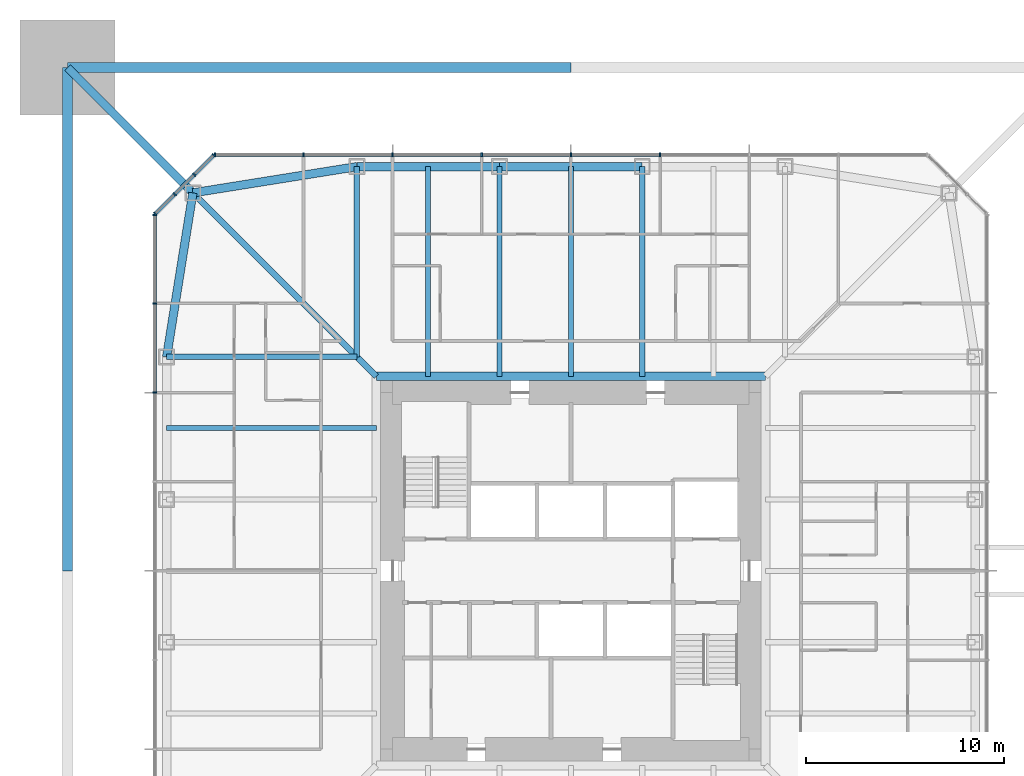
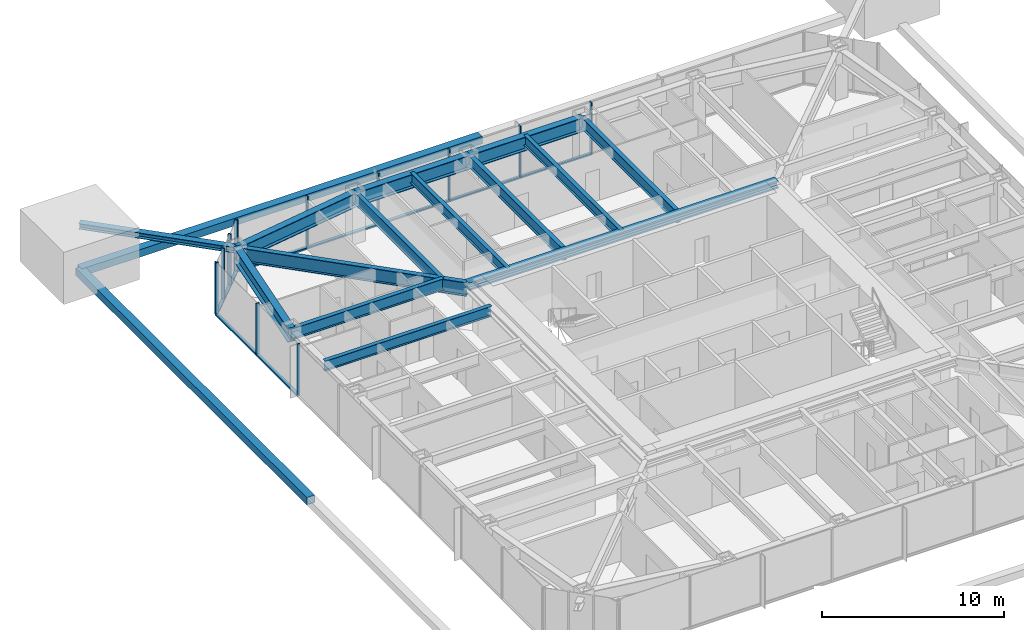
# One storey, part 6 of 26: 26 members, 13 beams, 3 elements without a shape of their own.
"""IFC4 building model written with IfcOpenShell, lengths in metres."""

from ifc_helpers import new_model, si_unit, direction, frame, origin, origin_2d, place, context, subcontext, project, spatial, rectangle, hollow_rectangle, i_section, extrude, material, material_profile, profile_set, type_object, element, aggregate, save


model = new_model("IFC4")

# Units and contexts
model_context = context("Model", 3, precision=1e-05, world=origin(), true_north=direction((0.0, 1.0)))
body_context = subcontext(model_context, "Body", "Model", "MODEL_VIEW")
ifc_project = project(units=[si_unit("LENGTHUNIT", "METRE"), si_unit("AREAUNIT", "SQUARE_METRE"), si_unit("VOLUMEUNIT", "CUBIC_METRE"), si_unit("PLANEANGLEUNIT", "RADIAN"), si_unit("MASSUNIT", "GRAM", prefix="KILO")], contexts=[model_context])

# Site, building, storey
site_placement = place(None, origin())
site = spatial("IfcSite", under=ifc_project, at=site_placement, CompositionType="ELEMENT")
building_placement = place(site_placement, origin())
building = spatial("IfcBuilding", under=site, at=building_placement, Name="Iwan Alto Co-Living Towers", CompositionType="ELEMENT")
storey_placement = place(building_placement, frame((0.0, 0.0, 126.0)))
storey = spatial("IfcBuildingStorey", under=building, at=storey_placement, Name="L34", CompositionType="ELEMENT", Elevation=126.0)

# Curtain wall, members
ifc_material_1 = material(Name="Bronze aluminium unitised frame", Category="aluminium")
curtain_wall_type_1 = type_object("IfcCurtainWallType", Name="CURTAIN WALL CW-A", PredefinedType="NOTDEFINED", material=ifc_material_1)
curtain_wall_1_placement = place(storey_placement, origin())
curtain_wall_1 = element("IfcCurtainWall", 1, at=curtain_wall_1_placement, inside=storey, type_object=curtain_wall_type_1, Name="T1 curtain wall N L34", PredefinedType="NOTDEFINED")
ifc_material_2 = material(Name="Aluminium 6063-T6 bronze anodised", Category="aluminium")
ifc_material_profile_1 = material_profile(ifc_material_2, rectangle(XDim=0.199951171875, YDim=0.080078125, at=origin_2d()), Name="AL 80X200")
ifc_profile_set_1 = profile_set([ifc_material_profile_1], Name="Aluminium 6063-T6 bronze anodised")
member_type_1 = type_object("IfcMemberType", Name="CW-A MULLION 80X200", PredefinedType="MULLION", material=ifc_profile_set_1)
member_1_placement = place(storey_placement, frame((4.5, 21.0, 0.0), z_axis=(0.0, 0.0, 1.0), x_axis=(0.0, -1.0, 0.0)))
member_1 = element("IfcMember", 2, at=member_1_placement, type_object=member_type_1, Name="CW-A mullion 4", PredefinedType="MULLION", context=body_context, shape_type="SweptSolid", body=[
    extrude(rectangle(XDim=0.199951171875, YDim=0.080078125, at=origin_2d()), origin(), (0.0, 0.0, 1.0), 3.5),
])
member_2_placement = place(storey_placement, frame((0.0, 21.0, 0.0), z_axis=(0.0, 0.0, 1.0), x_axis=(0.0, -1.0, 0.0)))
member_2 = element("IfcMember", 3, at=member_2_placement, type_object=member_type_1, Name="CW-A mullion 5", PredefinedType="MULLION", context=body_context, shape_type="SweptSolid", body=[
    extrude(rectangle(XDim=0.199951171875, YDim=0.080078125, at=origin_2d()), origin(), (0.0, 0.0, 1.0), 3.5),
])
member_3_placement = place(storey_placement, frame((-4.5, 21.0, 0.0), z_axis=(0.0, 0.0, 1.0), x_axis=(0.0, -1.0, 0.0)))
member_3 = element("IfcMember", 4, at=member_3_placement, type_object=member_type_1, Name="CW-A mullion 6", PredefinedType="MULLION", context=body_context, shape_type="SweptSolid", body=[
    extrude(rectangle(XDim=0.199951171875, YDim=0.080078125, at=origin_2d()), origin(), (0.0, 0.0, 1.0), 3.5),
])
member_4_placement = place(storey_placement, frame((-9.0, 21.0, 0.0), z_axis=(0.0, 0.0, 1.0), x_axis=(0.0, -1.0, 0.0)))
member_4 = element("IfcMember", 5, at=member_4_placement, type_object=member_type_1, Name="CW-A mullion 7", PredefinedType="MULLION", context=body_context, shape_type="SweptSolid", body=[
    extrude(rectangle(XDim=0.199951171875, YDim=0.080078125, at=origin_2d()), origin(), (0.0, 0.0, 1.0), 3.5),
])
member_5_placement = place(storey_placement, frame((-13.5, 21.0, 0.0), z_axis=(0.0, 0.0, 1.0), x_axis=(0.0, -1.0, 0.0)))
member_5 = element("IfcMember", 6, at=member_5_placement, type_object=member_type_1, Name="CW-A mullion 8", PredefinedType="MULLION", context=body_context, shape_type="SweptSolid", body=[
    extrude(rectangle(XDim=0.199951171875, YDim=0.080078125, at=origin_2d()), origin(), (0.0, 0.0, 1.0), 3.5),
])
member_6_placement = place(storey_placement, frame((-17.9599609375, 21.0, 0.0), z_axis=(0.0, 0.0, 1.0), x_axis=(0.0, -1.0, 0.0)))
member_6 = element("IfcMember", 7, at=member_6_placement, type_object=member_type_1, Name="CW-A mullion 9", PredefinedType="MULLION", context=body_context, shape_type="SweptSolid", body=[
    extrude(rectangle(XDim=0.199951171875, YDim=0.080078125, at=origin_2d()), origin(), (0.0, 0.0, 1.0), 3.5),
])

curtain_wall_2_placement = place(storey_placement, origin())
curtain_wall_2 = element("IfcCurtainWall", 8, at=curtain_wall_2_placement, inside=storey, type_object=curtain_wall_type_1, Name="T1 curtain wall W L34", PredefinedType="NOTDEFINED")
member_7_placement = place(storey_placement, frame((-21.0, 17.9599609375, 0.0), z_axis=(0.0, 0.0, 1.0), x_axis=(1.0, 0.0, 0.0)))
member_7 = element("IfcMember", 9, at=member_7_placement, type_object=member_type_1, Name="CW-A mullion 1", PredefinedType="MULLION", context=body_context, shape_type="SweptSolid", body=[
    extrude(rectangle(XDim=0.199951171875, YDim=0.080078125, at=origin_2d()), origin(), (0.0, 0.0, 1.0), 3.5),
])
member_8_placement = place(storey_placement, frame((-21.0, 13.5, 0.0), z_axis=(0.0, 0.0, 1.0), x_axis=(1.0, 0.0, 0.0)))
member_8 = element("IfcMember", 10, at=member_8_placement, type_object=member_type_1, Name="CW-A mullion 2", PredefinedType="MULLION", context=body_context, shape_type="SweptSolid", body=[
    extrude(rectangle(XDim=0.199951171875, YDim=0.080078125, at=origin_2d()), origin(), (0.0, 0.0, 1.0), 3.5),
])
member_9_placement = place(storey_placement, frame((-21.0, 9.0, 0.0), z_axis=(0.0, 0.0, 1.0), x_axis=(1.0, 0.0, 0.0)))
member_9 = element("IfcMember", 11, at=member_9_placement, type_object=member_type_1, Name="CW-A mullion 3", PredefinedType="MULLION", context=body_context, shape_type="SweptSolid", body=[
    extrude(rectangle(XDim=0.199951171875, YDim=0.080078125, at=origin_2d()), origin(), (0.0, 0.0, 1.0), 3.5),
])

# Member
ifc_material_3 = material(Name="Aluminium 6063-T6 bronze anodised", Category="aluminium")
ifc_material_profile_2 = material_profile(ifc_material_3, rectangle(XDim=0.199951171875, YDim=0.10009765625, at=origin_2d()), Name="AL 200X100")
ifc_profile_set_2 = profile_set([ifc_material_profile_2], Name="Aluminium 6063-T6 bronze anodised")
member_type_2 = type_object("IfcMemberType", Name="CW-A TRANSOM 200X100", PredefinedType="USERDEFINED", material=ifc_profile_set_2)
member_10_placement = place(storey_placement, frame((4.4599609375, 21.0, 0.050048828125), z_axis=(-1.0, 0.0, 0.0), x_axis=(0.0, -1.0, 0.0)))
member_10 = element("IfcMember", 12, at=member_10_placement, type_object=member_type_2, Name="CW-A transom 4.1", ObjectType="TRANSOM", PredefinedType="USERDEFINED", context=body_context, shape_type="SweptSolid", body=[
    extrude(rectangle(XDim=0.199951171875, YDim=0.10009765625, at=origin_2d()), origin(), (0.0, 0.0, 1.0), 4.419921875),
])

member_11_placement = place(storey_placement, frame((-0.0400390625, 21.0, 0.050048828125), z_axis=(-1.0, 0.0, 0.0), x_axis=(0.0, -1.0, 0.0)))
member_11 = element("IfcMember", 13, at=member_11_placement, type_object=member_type_2, Name="CW-A transom 5.1", ObjectType="TRANSOM", PredefinedType="USERDEFINED", context=body_context, shape_type="SweptSolid", body=[
    extrude(rectangle(XDim=0.199951171875, YDim=0.10009765625, at=origin_2d()), origin(), (0.0, 0.0, 1.0), 4.419921875),
])

member_12_placement = place(storey_placement, frame((-4.5400390625, 21.0, 0.050048828125), z_axis=(-1.0, 0.0, 0.0), x_axis=(0.0, -1.0, 0.0)))
member_12 = element("IfcMember", 14, at=member_12_placement, type_object=member_type_2, Name="CW-A transom 6.1", ObjectType="TRANSOM", PredefinedType="USERDEFINED", context=body_context, shape_type="SweptSolid", body=[
    extrude(rectangle(XDim=0.199951171875, YDim=0.10009765625, at=origin_2d()), origin(), (0.0, 0.0, 1.0), 4.419921875),
])

member_13_placement = place(storey_placement, frame((-9.0400390625, 21.0, 0.050048828125), z_axis=(-1.0, 0.0, 0.0), x_axis=(0.0, -1.0, 0.0)))
member_13 = element("IfcMember", 15, at=member_13_placement, type_object=member_type_2, Name="CW-A transom 7.1", ObjectType="TRANSOM", PredefinedType="USERDEFINED", context=body_context, shape_type="SweptSolid", body=[
    extrude(rectangle(XDim=0.199951171875, YDim=0.10009765625, at=origin_2d()), origin(), (0.0, 0.0, 1.0), 4.419921875),
])

member_14_placement = place(storey_placement, frame((-13.5400390625, 21.0, 0.050048828125), z_axis=(-1.0, 0.0, 0.0), x_axis=(0.0, -1.0, 0.0)))
member_14 = element("IfcMember", 16, at=member_14_placement, type_object=member_type_2, Name="CW-A transom 8.1", ObjectType="TRANSOM", PredefinedType="USERDEFINED", context=body_context, shape_type="SweptSolid", body=[
    extrude(rectangle(XDim=0.199951171875, YDim=0.10009765625, at=origin_2d()), origin(), (0.0, 0.0, 1.0), 4.3798828125),
])

aggregate(curtain_wall_1, [member_1, member_2, member_3, member_4, member_5, member_6, member_10, member_11, member_12, member_13, member_14])

member_15_placement = place(storey_placement, frame((-21.0, 17.919921875, 0.050048828125), z_axis=(0.0, -1.0, 0.0), x_axis=(1.0, 0.0, 0.0)))
member_15 = element("IfcMember", 17, at=member_15_placement, type_object=member_type_2, Name="CW-A transom 1.1", ObjectType="TRANSOM", PredefinedType="USERDEFINED", context=body_context, shape_type="SweptSolid", body=[
    extrude(rectangle(XDim=0.199951171875, YDim=0.10009765625, at=origin_2d()), origin(), (0.0, 0.0, 1.0), 4.3798828125),
])

member_16_placement = place(storey_placement, frame((-21.0, 13.4599609375, 0.050048828125), z_axis=(0.0, -1.0, 0.0), x_axis=(1.0, 0.0, 0.0)))
member_16 = element("IfcMember", 18, at=member_16_placement, type_object=member_type_2, Name="CW-A transom 2.1", ObjectType="TRANSOM", PredefinedType="USERDEFINED", context=body_context, shape_type="SweptSolid", body=[
    extrude(rectangle(XDim=0.199951171875, YDim=0.10009765625, at=origin_2d()), origin(), (0.0, 0.0, 1.0), 4.419921875),
])

aggregate(curtain_wall_2, [member_7, member_8, member_9, member_15, member_16])

# Curtain wall, members
ifc_material_4 = material(Name="Bronze aluminium unitised frame", Category="aluminium")
curtain_wall_type_2 = type_object("IfcCurtainWallType", Name="CURTAIN WALL CW-B", PredefinedType="NOTDEFINED", material=ifc_material_4)
curtain_wall_3_placement = place(storey_placement, origin())
curtain_wall_3 = element("IfcCurtainWall", 19, at=curtain_wall_3_placement, inside=storey, type_object=curtain_wall_type_2, Name="T1 chamfer curtain wall NW L34", PredefinedType="NOTDEFINED")
ifc_material_5 = material(Name="Aluminium 6063-T6 bronze anodised", Category="aluminium")
ifc_material_profile_3 = material_profile(ifc_material_5, rectangle(XDim=0.199951171875, YDim=0.080078125, at=origin_2d()), Name="AL 80X200")
ifc_profile_set_3 = profile_set([ifc_material_profile_3], Name="Aluminium 6063-T6 bronze anodised")
member_type_3 = type_object("IfcMemberType", Name="CW-B MULLION 80X200", PredefinedType="MULLION", material=ifc_profile_set_3)
member_17_placement = place(storey_placement, frame((-18.0283203125, 20.9716796875, 0.0), z_axis=(0.0, 0.0, 1.0), x_axis=(0.707106781187, -0.707106781187, 0.0)))
member_17 = element("IfcMember", 20, at=member_17_placement, type_object=member_type_3, Name="CW-B mullion 1", PredefinedType="MULLION", context=body_context, shape_type="SweptSolid", body=[
    extrude(rectangle(XDim=0.199951171875, YDim=0.080078125, at=origin_2d()), origin(), (0.0, 0.0, 1.0), 3.5),
])
member_18_placement = place(storey_placement, frame((-19.0, 20.0, 0.0), z_axis=(0.0, 0.0, 1.0), x_axis=(0.707106781187, -0.707106781187, 0.0)))
member_18 = element("IfcMember", 21, at=member_18_placement, type_object=member_type_3, Name="CW-B mullion 2", PredefinedType="MULLION", context=body_context, shape_type="SweptSolid", body=[
    extrude(rectangle(XDim=0.199951171875, YDim=0.080078125, at=origin_2d()), origin(), (0.0, 0.0, 1.0), 3.5),
])
member_19_placement = place(storey_placement, frame((-20.0, 19.0, 0.0), z_axis=(0.0, 0.0, 1.0), x_axis=(0.707106781187, -0.707106781187, 0.0)))
member_19 = element("IfcMember", 22, at=member_19_placement, type_object=member_type_3, Name="CW-B mullion 3", PredefinedType="MULLION", context=body_context, shape_type="SweptSolid", body=[
    extrude(rectangle(XDim=0.199951171875, YDim=0.080078125, at=origin_2d()), origin(), (0.0, 0.0, 1.0), 3.5),
])
member_20_placement = place(storey_placement, frame((-20.9716796875, 18.0283203125, 0.0), z_axis=(0.0, 0.0, 1.0), x_axis=(0.707106781187, -0.707106781187, 0.0)))
member_20 = element("IfcMember", 23, at=member_20_placement, type_object=member_type_3, Name="CW-B mullion 4", PredefinedType="MULLION", context=body_context, shape_type="SweptSolid", body=[
    extrude(rectangle(XDim=0.199951171875, YDim=0.080078125, at=origin_2d()), origin(), (0.0, 0.0, 1.0), 3.5),
])
ifc_material_6 = material(Name="Aluminium 6063-T6 bronze anodised", Category="aluminium")
ifc_material_profile_4 = material_profile(ifc_material_6, rectangle(XDim=0.199951171875, YDim=0.10009765625, at=origin_2d()), Name="AL 200X100")
ifc_profile_set_4 = profile_set([ifc_material_profile_4], Name="Aluminium 6063-T6 bronze anodised")
member_type_4 = type_object("IfcMemberType", Name="CW-B TRANSOM 200X100", PredefinedType="USERDEFINED", material=ifc_profile_set_4)
member_21_placement = place(storey_placement, frame((-18.056640625, 20.943359375, 0.050048828125), z_axis=(-0.707106781187, -0.707106781187, 0.0), x_axis=(0.707106781187, -0.707106781187, 0.0)))
member_21 = element("IfcMember", 24, at=member_21_placement, type_object=member_type_4, Name="CW-B transom 1.1", ObjectType="TRANSOM", PredefinedType="USERDEFINED", context=body_context, shape_type="SweptSolid", body=[
    extrude(rectangle(XDim=0.199951171875, YDim=0.10009765625, at=origin_2d()), origin(), (0.0, 0.0, 1.0), 1.2939453125),
])
member_22_placement = place(storey_placement, frame((-19.0283203125, 19.9716796875, 0.050048828125), z_axis=(-0.707106781187, -0.707106781187, 0.0), x_axis=(0.707106781187, -0.707106781187, 0.0)))
member_22 = element("IfcMember", 25, at=member_22_placement, type_object=member_type_4, Name="CW-B transom 2.1", ObjectType="TRANSOM", PredefinedType="USERDEFINED", context=body_context, shape_type="SweptSolid", body=[
    extrude(rectangle(XDim=0.199951171875, YDim=0.10009765625, at=origin_2d()), origin(), (0.0, 0.0, 1.0), 1.334228515625),
])
member_23_placement = place(storey_placement, frame((-20.0283203125, 18.9716796875, 0.050048828125), z_axis=(-0.707106781187, -0.707106781187, 0.0), x_axis=(0.707106781187, -0.707106781187, 0.0)))
member_23 = element("IfcMember", 26, at=member_23_placement, type_object=member_type_4, Name="CW-B transom 3.1", ObjectType="TRANSOM", PredefinedType="USERDEFINED", context=body_context, shape_type="SweptSolid", body=[
    extrude(rectangle(XDim=0.199951171875, YDim=0.10009765625, at=origin_2d()), origin(), (0.0, 0.0, 1.0), 1.2939453125),
])
aggregate(curtain_wall_3, [member_17, member_18, member_19, member_20, member_21, member_22, member_23])

# Beams
ifc_material_7 = material(Name="Steel ASTM A992 Gr 50", Category="steel")
ifc_material_profile_5 = material_profile(ifc_material_7, i_section(OverallWidth=0.436767578125, OverallDepth=0.51318359375, WebThickness=0.060546875, FlangeThickness=0.096923828125, at=origin_2d()), Name="W14X550")
ifc_profile_set_5 = profile_set([ifc_material_profile_5], Name="Steel ASTM A992 Gr 50")
beam_type_1 = type_object("IfcBeamType", Name="T1 CORE LEDGER BEAM W14X550", PredefinedType="BEAM", material=ifc_profile_set_5)
beam_1_placement = place(storey_placement, frame((9.818359375, 9.818359375, 3.013427734375), z_axis=(-1.0, 0.0, 0.0), x_axis=(0.0, -1.0, 0.0)))
element("IfcBeam", 27, at=beam_1_placement, inside=storey, type_object=beam_type_1, Name="T1 core ledger beam N L35", PredefinedType="BEAM", context=body_context, shape_type="SweptSolid", body=[
    extrude(i_section(OverallWidth=0.436767578125, OverallDepth=0.51318359375, WebThickness=0.060546875, FlangeThickness=0.096923828125, at=origin_2d()), origin(), (0.0, 0.0, 1.0), 19.63671875),
])
ifc_material_8 = material(Name="Steel ASTM A992 Gr 50", Category="steel")
ifc_material_profile_6 = material_profile(ifc_material_8, i_section(OverallWidth=0.307373046875, OverallDepth=0.927001953125, WebThickness=0.01953125, FlangeThickness=0.031982421875, at=origin_2d()), Name="W36X194")
ifc_profile_set_6 = profile_set([ifc_material_profile_6], Name="Steel ASTM A992 Gr 50")
beam_type_2 = type_object("IfcBeamType", Name="T1 CORNER GIRDER W36X194", PredefinedType="BEAM", material=ifc_profile_set_6)
beam_2_placement = place(storey_placement, frame((-19.07568359375, 19.07568359375, 2.806396484375), z_axis=(0.707106781187, -0.707106781187, 0.0), x_axis=(0.707106781187, 0.707106781187, 0.0)))
element("IfcBeam", 28, at=beam_2_placement, inside=storey, type_object=beam_type_2, Name="T1 corner girder CNW L35", PredefinedType="BEAM", context=body_context, shape_type="SweptSolid", body=[
    extrude(i_section(OverallWidth=0.307373046875, OverallDepth=0.927001953125, WebThickness=0.01953125, FlangeThickness=0.031982421875, at=origin_2d()), origin(), (0.0, 0.0, 1.0), 13.091796875),
])
ifc_material_9 = material(Name="Steel ASTM A992 Gr 50", Category="steel")
ifc_material_profile_7 = material_profile(ifc_material_9, i_section(OverallWidth=0.424072265625, OverallDepth=0.947509765625, WebThickness=0.02392578125, FlangeThickness=0.042724609375, at=origin_2d()), Name="W36X302")
ifc_profile_set_7 = profile_set([ifc_material_profile_7], Name="Steel ASTM A992 Gr 50")
beam_type_3 = type_object("IfcBeamType", Name="T1 EDGE BEAM W36X302", PredefinedType="BEAM", material=ifc_profile_set_7)
beam_3_placement = place(storey_placement, frame((3.60009765625, 20.39990234375, 2.79638671875), z_axis=(-1.0, 0.0, 0.0), x_axis=(0.0, -1.0, 0.0)))
element("IfcBeam", 29, at=beam_3_placement, inside=storey, type_object=beam_type_3, Name="T1 edge beam N2 L35", PredefinedType="BEAM", context=body_context, shape_type="SweptSolid", body=[
    extrude(i_section(OverallWidth=0.424072265625, OverallDepth=0.947509765625, WebThickness=0.02392578125, FlangeThickness=0.042724609375, at=origin_2d()), origin(), (0.0, 0.0, 1.0), 7.2001953125),
])
beam_4_placement = place(storey_placement, frame((-3.60009765625, 20.39990234375, 2.79638671875), z_axis=(-1.0, 0.0, 0.0), x_axis=(0.0, -1.0, 0.0)))
element("IfcBeam", 30, at=beam_4_placement, inside=storey, type_object=beam_type_3, Name="T1 edge beam N3 L35", PredefinedType="BEAM", context=body_context, shape_type="SweptSolid", body=[
    extrude(i_section(OverallWidth=0.424072265625, OverallDepth=0.947509765625, WebThickness=0.02392578125, FlangeThickness=0.042724609375, at=origin_2d()), origin(), (0.0, 0.0, 1.0), 7.199951171875),
])
for number, where, z_axis, x_axis, name in (
    (31, (-10.800048828125, 20.39990234375, 2.79638671875), (-0.987438450439, -0.158004134737, 0.0), (0.158004134737, -0.987438450439, 0.0), "T1 edge beam N4 L35"),
    (32, (-19.07568359375, 19.07568359375, 2.79638671875), (-0.158004134737, -0.987438450439, 0.0), (0.987438450439, -0.158004134737, 0.0), "T1 edge beam CNW L35"),
):
    element("IfcBeam", number, at=place(storey_placement, frame(where, z_axis=z_axis, x_axis=x_axis)), inside=storey, type_object=beam_type_3, Name=name, PredefinedType="BEAM", context=body_context, shape_type="SweptSolid", body=[
        extrude(i_section(OverallWidth=0.424072265625, OverallDepth=0.947509765625, WebThickness=0.02392578125, FlangeThickness=0.042724609375, at=origin_2d()), origin(), (0.0, 0.0, 1.0), 8.380859375),
    ])

# Members
ifc_material_10 = material(Name="Steel ASTM A992 Gr 50", Category="steel")
ifc_material_profile_8 = material_profile(ifc_material_10, i_section(OverallWidth=0.393798828125, OverallDepth=0.3759765625, WebThickness=0.017333984375, FlangeThickness=0.027587890625, at=origin_2d()), Name="W14X145")
ifc_profile_set_8 = profile_set([ifc_material_profile_8], Name="Steel ASTM A992 Gr 50")
member_type_5 = type_object("IfcMemberType", Name="T1 MEGA COLUMN FLOOR TIE W14X145", PredefinedType="STRUT", material=ifc_profile_set_8)
member_24_placement = place(storey_placement, frame((-25.39990234375, 25.39990234375, 3.08203125), z_axis=(0.707106781187, -0.707106781187, 0.0), x_axis=(0.707106781187, 0.707106781187, 0.0)))
element("IfcMember", 33, at=member_24_placement, inside=storey, type_object=member_type_5, Name="T1 mega column floor tie NW L35", PredefinedType="STRUT", context=body_context, shape_type="SweptSolid", body=[
    extrude(i_section(OverallWidth=0.393798828125, OverallDepth=0.3759765625, WebThickness=0.017333984375, FlangeThickness=0.027587890625, at=origin_2d()), origin(), (0.0, 0.0, 1.0), 8.94384765625),
])
ifc_material_11 = material(Name="Steel ASTM A572 Gr 50", Category="steel")
ifc_material_profile_9 = material_profile(ifc_material_11, hollow_rectangle(XDim=0.5, YDim=0.5, WallThickness=0.031982421875, at=origin_2d()), Name="BOX 500X500X32")
ifc_profile_set_9 = profile_set([ifc_material_profile_9], Name="Steel ASTM A572 Gr 50")
member_type_6 = type_object("IfcMemberType", Name="T1 MEGA TIE BOX 500X500X32", PredefinedType="STRUT", material=ifc_profile_set_9)
for number, where, z_axis, x_axis, name in (
    (34, (0.0, 25.39990234375, 0.0), (-1.0, 0.0, 0.0), (0.0, -1.0, 0.0), "T1 mega tie Z2B N 2"),
    (35, (-25.39990234375, 25.39990234375, 0.0), (0.0, -1.0, 0.0), (1.0, 0.0, 0.0), "T1 mega tie Z2B W 1"),
):
    element("IfcMember", number, at=place(storey_placement, frame(where, z_axis=z_axis, x_axis=x_axis)), inside=storey, type_object=member_type_6, Name=name, PredefinedType="STRUT", context=body_context, shape_type="SweptSolid", body=[
        extrude(hollow_rectangle(XDim=0.5, YDim=0.5, WallThickness=0.031982421875, at=origin_2d()), origin(), (0.0, 0.0, 1.0), 25.39990234375),
    ])

# Beams
ifc_material_12 = material(Name="Steel ASTM A992 Gr 50", Category="steel")
ifc_material_profile_10 = material_profile(ifc_material_12, i_section(OverallWidth=0.2666015625, OverallDepth=0.761962890625, WebThickness=0.014404296875, FlangeThickness=0.021484375, at=origin_2d()), Name="W30X116")
ifc_profile_set_10 = profile_set([ifc_material_profile_10], Name="Steel ASTM A992 Gr 50")
beam_type_4 = type_object("IfcBeamType", Name="T1 RADIAL BEAM W30X116", PredefinedType="BEAM", material=ifc_profile_set_10)
for number, where, z_axis, x_axis, name in (
    (36, (3.60009765625, 20.39990234375, 2.888916015625), (0.0, -1.0, 0.0), (1.0, 0.0, 0.0), "T1 radial beam N2 L35"),
    (37, (-3.60009765625, 20.39990234375, 2.888916015625), (0.0, -1.0, 0.0), (1.0, 0.0, 0.0), "T1 radial beam N3 L35"),
):
    element("IfcBeam", number, at=place(storey_placement, frame(where, z_axis=z_axis, x_axis=x_axis)), inside=storey, type_object=beam_type_4, Name=name, PredefinedType="BEAM", context=body_context, shape_type="SweptSolid", body=[
        extrude(i_section(OverallWidth=0.2666015625, OverallDepth=0.761962890625, WebThickness=0.014404296875, FlangeThickness=0.021484375, at=origin_2d()), origin(), (0.0, 0.0, 1.0), 10.58154296875),
    ])
for number, where, z_axis, x_axis, name in (
    (38, (-10.800048828125, 20.39990234375, 2.888916015625), (0.0, -1.0, 0.0), (1.0, 0.0, 0.0), "T1 radial beam N4 L35"),
    (39, (-20.39990234375, 10.800048828125, 2.888916015625), (1.0, 0.0, 0.0), (0.0, 1.0, 0.0), "T1 radial beam W1 L35"),
):
    element("IfcBeam", number, at=place(storey_placement, frame(where, z_axis=z_axis, x_axis=x_axis)), inside=storey, type_object=beam_type_4, Name=name, PredefinedType="BEAM", context=body_context, shape_type="SweptSolid", body=[
        extrude(i_section(OverallWidth=0.2666015625, OverallDepth=0.761962890625, WebThickness=0.014404296875, FlangeThickness=0.021484375, at=origin_2d()), origin(), (0.0, 0.0, 1.0), 9.599853515625),
    ])
ifc_material_13 = material(Name="Steel ASTM A992 Gr 50", Category="steel")
ifc_material_profile_11 = material_profile(ifc_material_13, i_section(OverallWidth=0.25390625, OverallDepth=0.683349609375, WebThickness=0.012451171875, FlangeThickness=0.018798828125, at=origin_2d()), Name="W27X94")
ifc_profile_set_11 = profile_set([ifc_material_profile_11], Name="Steel ASTM A992 Gr 50")
beam_type_5 = type_object("IfcBeamType", Name="T1 SECONDARY BEAM W27X94", PredefinedType="JOIST", material=ifc_profile_set_11)
for number, where, z_axis, x_axis, name in (
    (40, (0.0, 20.39990234375, 2.928466796875), (0.0, -1.0, 0.0), (1.0, 0.0, 0.0), "T1 secondary beam N2 L35"),
    (41, (-7.199951171875, 20.39990234375, 2.928466796875), (0.0, -1.0, 0.0), (1.0, 0.0, 0.0), "T1 secondary beam N3 L35"),
    (42, (-20.39990234375, 7.199951171875, 2.928466796875), (1.0, 0.0, 0.0), (0.0, 1.0, 0.0), "T1 secondary beam W1 L35"),
):
    element("IfcBeam", number, at=place(storey_placement, frame(where, z_axis=z_axis, x_axis=x_axis)), inside=storey, type_object=beam_type_5, Name=name, PredefinedType="JOIST", context=body_context, shape_type="SweptSolid", body=[
        extrude(i_section(OverallWidth=0.25390625, OverallDepth=0.683349609375, WebThickness=0.012451171875, FlangeThickness=0.018798828125, at=origin_2d()), origin(), (0.0, 0.0, 1.0), 10.58154296875),
    ])

save(model, "model.ifc")
